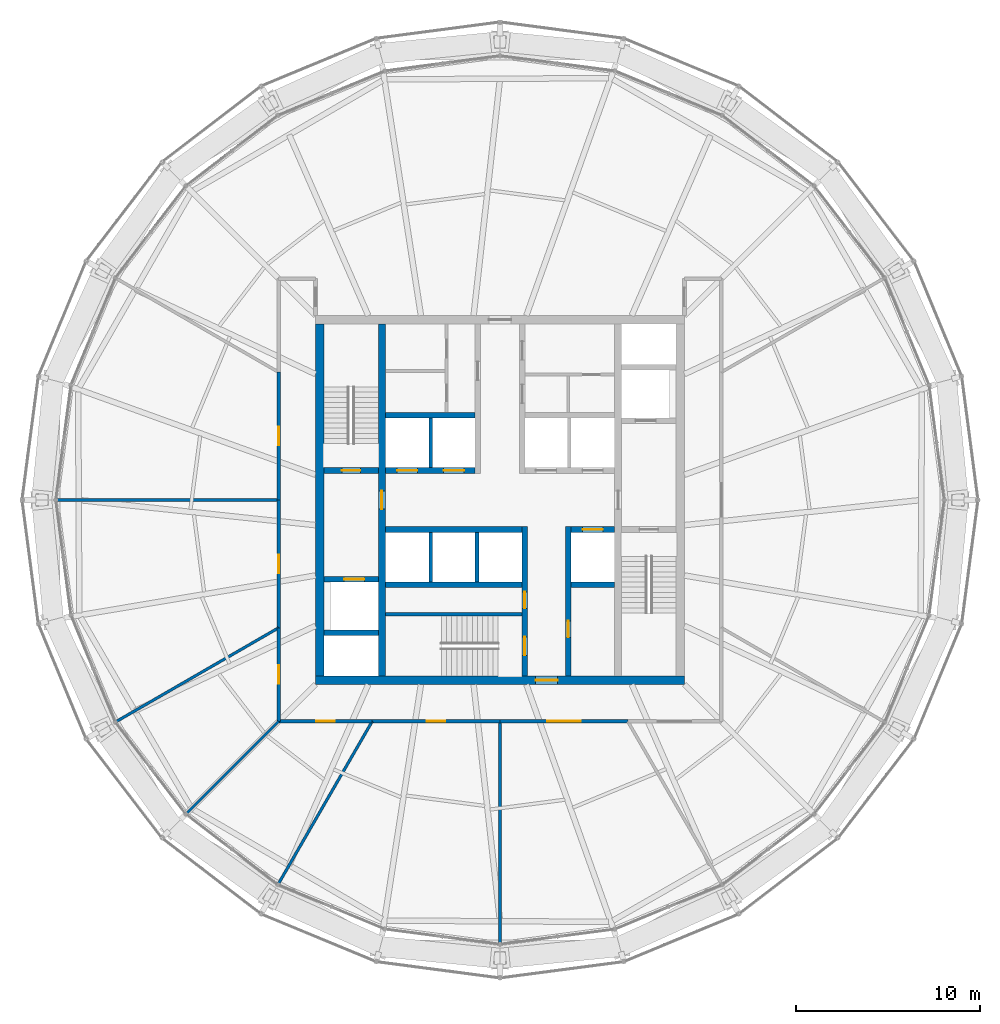
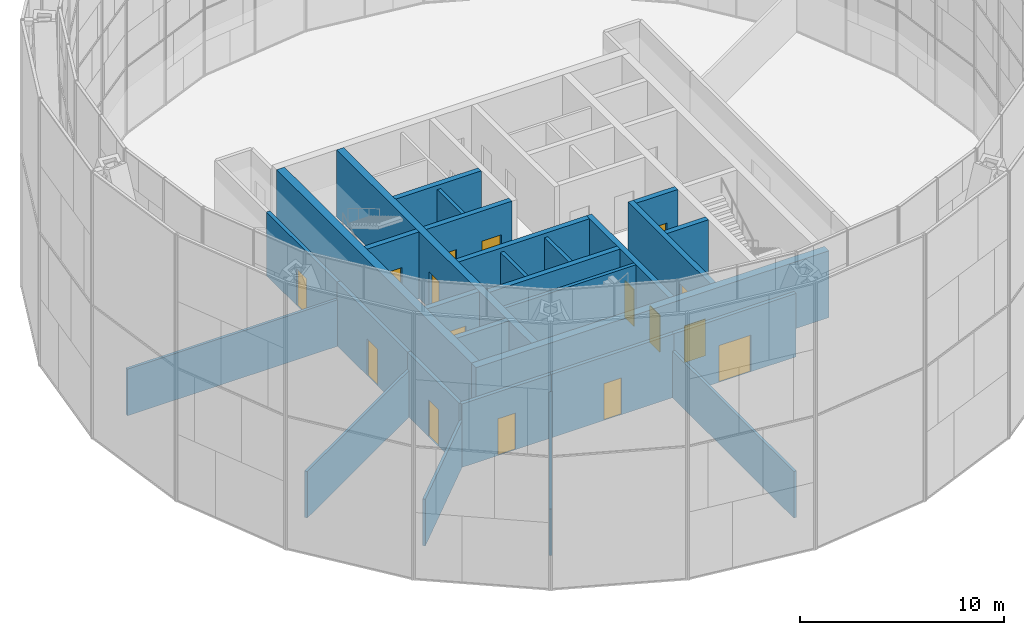
# One storey, part 27 of 30: 29 walls, 16 doors, 16 openings.
"""IFC4 building model written with IfcOpenShell, lengths in metres."""

import ifcopenshell
import ifcopenshell.guid

model = None  # the IFC model being written
_history = None  # IfcOwnerHistory: only IFC2X3 demands one
_inside = {}  # id of a spatial element -> (the spatial element, [elements in it])
_under = {}  # id of a project, library or spatial element -> (it, [spatial elements below it])
_declared = {}  # id of a project -> (the project, [libraries it declares])
_typed = {}  # id of a type object -> (the type object, [elements of that type])
_made_of = {}  # id of a material, layer set ... -> (it, [elements and type objects made of it])


def new_model(schema):
    """Start an empty IFC model of exactly this schema.

    Asked for "IFC4X3", IfcOpenShell would pick the latest addendum, in which some entities
    have other attributes; the version numbers below select the first issue.
    IFC2X3 requires an IfcOwnerHistory on every rooted entity: one is made here for all.
    """
    global model, _history
    if schema == "IFC4X3":
        model = ifcopenshell.file(schema_version=(4, 3, 0, 0))
    else:
        model = ifcopenshell.file(schema=schema)
    _inside.clear()
    _under.clear()
    _declared.clear()
    _typed.clear()
    _made_of.clear()
    _history = None
    if model.schema == "IFC2X3":
        org = make("IfcOrganization", Name="unknown")
        user = make(
            "IfcPersonAndOrganization",
            ThePerson=make("IfcPerson", FamilyName="unknown"),
            TheOrganization=org,
        )
        app = make(
            "IfcApplication",
            ApplicationDeveloper=org,
            Version="unknown",
            ApplicationFullName="unknown",
            ApplicationIdentifier="unknown",
        )
        _history = make(
            "IfcOwnerHistory",
            OwningUser=user,
            OwningApplication=app,
            ChangeAction="ADDED",
            CreationDate=0,
        )
    return model


def make(cls, **values):
    """One entity of the class cls with the attributes given. An attribute that is None is left unset."""
    return model.create_entity(
        cls, **{name: value for name, value in values.items() if value is not None}
    )


def rooted(cls, **values):
    """An entity with a GlobalId (a new one), such as an element, a storey or a relation."""
    return make(cls, GlobalId=ifcopenshell.guid.new(), OwnerHistory=_history, **values)


def si_unit(unit_type, name, prefix=None):
    """IfcSIUnit, for example si_unit("LENGTHUNIT", "METRE", prefix="MILLI")."""
    return make("IfcSIUnit", UnitType=unit_type, Prefix=prefix, Name=name)


def assignment(units):
    """IfcUnitAssignment: the units of a project."""
    return None if units is None else make("IfcUnitAssignment", Units=units)


def point(xyz):
    """IfcCartesianPoint."""
    return None if xyz is None else make("IfcCartesianPoint", Coordinates=xyz)


def direction(xyz):
    """IfcDirection."""
    return None if xyz is None else make("IfcDirection", DirectionRatios=xyz)


def frame(location, z_axis=None, x_axis=None):
    """IfcAxis2Placement3D, a coordinate frame: its origin and axes. An axis left out is left unset."""
    return make(
        "IfcAxis2Placement3D",
        Location=point(location),
        Axis=direction(z_axis),
        RefDirection=direction(x_axis),
    )


def frame_2d(location, x_axis=None):
    """IfcAxis2Placement2D, a coordinate frame in the plane: its origin and x axis."""
    return make(
        "IfcAxis2Placement2D", Location=point(location), RefDirection=direction(x_axis)
    )


def origin():
    """The frame at (0, 0, 0) with its axes left unset."""
    return frame((0.0, 0.0, 0.0))


def place(relative_to, where):
    """IfcLocalPlacement: puts the frame where relative to a parent placement (None: the world)."""
    return make(
        "IfcLocalPlacement", PlacementRelTo=relative_to, RelativePlacement=where
    )


def context(
    kind, dimensions, precision=None, world=None, true_north=None, identifier=None
):
    """IfcGeometricRepresentationContext, for example the 3D "Model" context."""
    return make(
        "IfcGeometricRepresentationContext",
        ContextIdentifier=identifier,
        ContextType=kind,
        CoordinateSpaceDimension=dimensions,
        Precision=precision,
        WorldCoordinateSystem=world,
        TrueNorth=true_north,
    )


def subcontext(parent, identifier, kind, view, scale=None):
    """IfcGeometricRepresentationSubContext, for example "Body" below "Model"."""
    return make(
        "IfcGeometricRepresentationSubContext",
        ContextIdentifier=identifier,
        ContextType=kind,
        ParentContext=parent,
        TargetScale=scale,
        TargetView=view,
    )


def project(units=None, contexts=None):
    """IfcProject with its units and contexts."""
    return rooted(
        "IfcProject",
        Name="project",
        RepresentationContexts=contexts,
        UnitsInContext=assignment(units),
    )


def spatial(cls, under=None, at=None, **own):
    """A site, building, storey or space (cls), placed at a placement, below another one or the project."""
    s = rooted(cls, ObjectPlacement=at, **own)
    if under is not None:
        _under.setdefault(under.id(), (under, []))[1].append(s)
    return s


def profile(cls, at=None, kind="AREA", **sizes):
    """A parametric profile (cls). Its sizes go by their IFC names, for example OverallWidth=200.0."""
    return make(cls, ProfileType=kind, Position=at, **sizes)


def rectangle(**sizes):
    """IfcRectangleProfileDef."""
    return profile("IfcRectangleProfileDef", **sizes)


def extrude(swept, where, along, depth):
    """IfcExtrudedAreaSolid: the profile swept, set in the frame where, extruded along a direction by depth."""
    return make(
        "IfcExtrudedAreaSolid",
        SweptArea=swept,
        Position=where,
        ExtrudedDirection=direction(along),
        Depth=depth,
    )


def shape(context_of_items, identifier, shape_type, items):
    """IfcShapeRepresentation: the items that make up one representation, for example the "Body"."""
    return make(
        "IfcShapeRepresentation",
        ContextOfItems=context_of_items,
        RepresentationIdentifier=identifier,
        RepresentationType=shape_type,
        Items=items,
    )


def material(Name=None, Category=None):
    """IfcMaterial."""
    return make("IfcMaterial", Name=Name, Category=Category)


def layer(
    of_material, thickness, ventilated=None, Name=None, Category=None, Priority=None
):
    """IfcMaterialLayer: one layer of a wall or slab, of a material (None: an air gap)."""
    return make(
        "IfcMaterialLayer",
        Material=of_material,
        LayerThickness=thickness,
        IsVentilated=ventilated,
        Name=Name,
        Category=Category,
        Priority=Priority,
    )


def layer_set(layers, Name=None):
    """IfcMaterialLayerSet."""
    return make("IfcMaterialLayerSet", MaterialLayers=layers, LayerSetName=Name)


def made_of(thing, what):
    """Note that an element or type object is made of a material, layer set ...; save() writes the relation."""
    if what is not None:
        _made_of.setdefault(what.id(), (what, []))[1].append(thing)
    return thing


def type_object(cls, material=None, **own):
    """A type object (cls), such as IfcWallType, which elements share."""
    return made_of(rooted(cls, **own), material)


def element(
    cls,
    number,
    at=None,
    inside=None,
    cuts=None,
    type_object=None,
    material=None,
    context=None,
    identifier="Body",
    shape_type=None,
    held_by="IfcProductDefinitionShape",
    body=None,
    shapes=None,
    **own,
):
    """One element of the class cls, such as IfcWall. Its Tag is "e" and its number.

    at: its placement. inside: the storey or other place that contains it. cuts: it is an
    opening in that element (IfcRelVoidsElement). A single representation is given by context,
    identifier, shape_type and body (its items); several are given by shapes. held_by: the class
    of the entity that holds the representations. save() writes the other relations.
    """
    e = rooted(cls, Tag="e%d" % number, ObjectPlacement=at, **own)
    if body is not None:
        shapes = [shape(context, identifier, shape_type, body)]
    if shapes is not None:
        e.Representation = make(held_by, Representations=shapes)
    if inside is not None:
        _inside.setdefault(inside.id(), (inside, []))[1].append(e)
    if cuts is not None:
        rooted(
            "IfcRelVoidsElement", RelatingBuildingElement=cuts, RelatedOpeningElement=e
        )
    if type_object is not None:
        _typed.setdefault(type_object.id(), (type_object, []))[1].append(e)
    return made_of(e, material)


def fill(opening, filler):
    """IfcRelFillsElement: the door or window that sits in an opening."""
    return rooted(
        "IfcRelFillsElement",
        RelatingOpeningElement=opening,
        RelatedBuildingElement=filler,
    )


def aggregate(whole, parts):
    """IfcRelAggregates: a whole, such as a stair, and the parts it consists of."""
    return rooted("IfcRelAggregates", RelatingObject=whole, RelatedObjects=parts)


def save(model, path):
    """Write the relations noted so far, then the file.

    IfcRelAggregates (storeys below a building ...), IfcRelContainedInSpatialStructure (elements
    in a storey), IfcRelDefinesByType, IfcRelAssociatesMaterial and IfcRelDeclares: one each for
    every whole, place, type object, material and project.
    """
    for whole, parts in _under.values():
        aggregate(whole, parts)
    for where, things in _inside.values():
        rooted(
            "IfcRelContainedInSpatialStructure",
            RelatedElements=things,
            RelatingStructure=where,
        )
    for kind, things in _typed.values():
        rooted("IfcRelDefinesByType", RelatedObjects=things, RelatingType=kind)
    for what, things in _made_of.values():
        rooted("IfcRelAssociatesMaterial", RelatedObjects=things, RelatingMaterial=what)
    for by, libraries in _declared.values():
        rooted("IfcRelDeclares", RelatingContext=by, RelatedDefinitions=libraries)
    model.write(path)


model = new_model("IFC4")

# Units and contexts
model_context = context("Model", 3, precision=1e-05, world=origin(), true_north=direction((0.0, 1.0)))
body_context = subcontext(model_context, "Body", "Model", "MODEL_VIEW")
ifc_project = project(units=[si_unit("LENGTHUNIT", "METRE"), si_unit("AREAUNIT", "SQUARE_METRE"), si_unit("VOLUMEUNIT", "CUBIC_METRE"), si_unit("PLANEANGLEUNIT", "RADIAN"), si_unit("MASSUNIT", "GRAM", prefix="KILO")], contexts=[model_context])

# Site, building, storey
site_placement = place(None, origin())
site = spatial("IfcSite", under=ifc_project, at=site_placement, CompositionType="ELEMENT")
building_placement = place(site_placement, origin())
building = spatial("IfcBuilding", under=site, at=building_placement, Name="Golbaran Civic Tower", CompositionType="ELEMENT")
storey_placement = place(building_placement, frame((0.0, 0.0, 167.0)))
storey = spatial("IfcBuildingStorey", under=building, at=storey_placement, Name="L40", CompositionType="ELEMENT", Elevation=167.0)

# Wall, opening, door
ifc_material_1 = material(Name="Concrete C50/60", Category="concrete")
ifc_layer_1 = layer(ifc_material_1, 0.39990234375, Name="Concrete C50/60")
ifc_layer_set_1 = layer_set([ifc_layer_1], Name="Concrete C50/60")
wall_type_1 = type_object("IfcWallType", Name="CORE WALL CONCRETE 400", PredefinedType="SOLIDWALL", material=ifc_layer_set_1)
wall_1_placement = place(storey_placement, frame((-6.39990234375, -9.550048828125, 0.0), z_axis=(0.0, 0.0, 1.0), x_axis=(0.0, 1.0, 0.0)))
wall_1 = element("IfcWall", 1, at=wall_1_placement, inside=storey, type_object=wall_type_1, Name="Core wall IW L40", PredefinedType="SOLIDWALL", context=body_context, shape_type="SweptSolid", body=[
    extrude(rectangle(XDim=19.10009765625, YDim=0.39990234375, at=frame_2d((9.550048828125, 0.0))), origin(), (0.0, 0.0, 1.0), 4.0),
])
opening_1_placement = place(wall_1_placement, frame((9.050048828125, 0.0, 0.0)))
opening_1 = element("IfcOpeningElement", 2, at=opening_1_placement, cuts=wall_1, Name="Opening L40.FL1", PredefinedType="OPENING", context=body_context, shape_type="SweptSolid", body=[
    extrude(rectangle(XDim=1.0, YDim=2.199951171875, at=frame_2d((0.5, 1.10009765625))), frame((0.0, 0.2099609375, 0.0), z_axis=(0.0, -1.0, 0.0), x_axis=(1.0, 0.0, 0.0)), (0.0, 0.0, 1.0), 0.419921875),
])
ifc_material_2 = material(Name="Timber door set in steel frame", Category="steel")
door_type_1 = type_object("IfcDoorType", Name="STAIR DOOR 1000x2200", OperationType="SINGLE_SWING_LEFT", PredefinedType="DOOR", material=ifc_material_2)
door_1_placement = place(opening_1_placement, origin())
door_1 = element("IfcDoor", 3, at=door_1_placement, inside=storey, type_object=door_type_1, Name="Fire-fighting lobby FL1 door", OperationType="SINGLE_SWING_LEFT", OverallHeight=2.199951171875, OverallWidth=1.0, PredefinedType="DOOR", context=body_context, shape_type="SweptSolid", body=[
    extrude(rectangle(XDim=1.0, YDim=2.199951171875, at=frame_2d((0.5, 1.10009765625))), frame((0.0, 0.02490234375, 0.0), z_axis=(0.0, -1.0, 0.0), x_axis=(1.0, 0.0, 0.0)), (0.0, 0.0, 1.0), 0.050048828125),
])
fill(opening_1, door_1)

ifc_layer_2 = layer(ifc_material_1, 0.449951171875, Name="Concrete C50/60")
ifc_layer_set_2 = layer_set([ifc_layer_2], Name="Concrete C50/60")
wall_type_2 = type_object("IfcWallType", Name="CORE WALL CONCRETE 450", PredefinedType="SOLIDWALL", material=ifc_layer_set_2)
wall_2_placement = place(storey_placement, frame((10.0, -9.77490234375, 0.0), z_axis=(0.0, 0.0, 1.0), x_axis=(-1.0, 0.0, 0.0)))
wall_2 = element("IfcWall", 4, at=wall_2_placement, inside=storey, type_object=wall_type_2, Name="Core wall CS L40", PredefinedType="SOLIDWALL", context=body_context, shape_type="SweptSolid", body=[
    extrude(rectangle(XDim=20.0, YDim=0.449951171875, at=frame_2d((10.0, 0.0))), origin(), (0.0, 0.0, 1.0), 4.0),
])
opening_2_placement = place(wall_2_placement, frame((6.875, 0.0, 0.0)))
opening_2 = element("IfcOpeningElement", 5, at=opening_2_placement, cuts=wall_2, Name="Opening L40.CS", PredefinedType="OPENING", context=body_context, shape_type="SweptSolid", body=[
    extrude(rectangle(XDim=1.199951171875, YDim=2.199951171875, at=frame_2d((0.60009765625, 1.10009765625))), frame((0.0, 0.23486328125, 0.0), z_axis=(0.0, -1.0, 0.0), x_axis=(1.0, 0.0, 0.0)), (0.0, 0.0, 1.0), 0.469970703125),
])
door_type_2 = type_object("IfcDoorType", Name="CORE DOOR 1200x2200", OperationType="DOUBLE_DOOR_SINGLE_SWING", PredefinedType="DOOR", material=ifc_material_2)
door_2_placement = place(opening_2_placement, origin())
door_2 = element("IfcDoor", 6, at=door_2_placement, inside=storey, type_object=door_type_2, Name="Core door south", OperationType="DOUBLE_DOOR_SINGLE_SWING", OverallHeight=2.199951171875, OverallWidth=1.199951171875, PredefinedType="DOOR", context=body_context, shape_type="SweptSolid", body=[
    extrude(rectangle(XDim=1.199951171875, YDim=2.199951171875, at=frame_2d((0.60009765625, 1.10009765625))), frame((0.0, 0.02490234375, 0.0), z_axis=(0.0, -1.0, 0.0), x_axis=(1.0, 0.0, 0.0)), (0.0, 0.0, 1.0), 0.050048828125),
])
fill(opening_2, door_2)

# Wall
wall_3_placement = place(storey_placement, frame((-9.77490234375, 9.550048828125, 0.0), z_axis=(0.0, 0.0, 1.0), x_axis=(0.0, -1.0, 0.0)))
element("IfcWall", 7, at=wall_3_placement, inside=storey, type_object=wall_type_2, Name="Core wall CW L40", PredefinedType="SOLIDWALL", context=body_context, shape_type="SweptSolid", body=[
    extrude(rectangle(XDim=19.10009765625, YDim=0.449951171875, at=frame_2d((9.550048828125, 0.0))), origin(), (0.0, 0.0, 1.0), 4.0),
])

# Wall, opening, door
ifc_material_3 = material(Name="Gypsum board on steel studs, fire-rated", Category="steel")
ifc_layer_3 = layer(ifc_material_3, 0.199951171875, Name="Gypsum board on steel studs, fire-rated")
ifc_layer_set_3 = layer_set([ifc_layer_3], Name="Gypsum board on steel studs, fire-rated")
wall_type_3 = type_object("IfcWallType", Name="CORRIDOR WALL 200", PredefinedType="PARTITIONING", material=ifc_layer_set_3)
wall_4_placement = place(storey_placement, frame((-12.0, 6.92822265625, 0.0), z_axis=(0.0, 0.0, 1.0), x_axis=(0.0, -1.0, 0.0)))
wall_4 = element("IfcWall", 8, at=wall_4_placement, inside=storey, type_object=wall_type_3, Name="Corridor wall L40", PredefinedType="PARTITIONING", context=body_context, shape_type="SweptSolid", body=[
    extrude(rectangle(XDim=6.92822265625, YDim=0.199951171875, at=frame_2d((3.464111328125, 0.0))), origin(), (0.0, 0.0, 1.0), 3.800048828125),
])
opening_3_placement = place(wall_4_placement, frame((2.964111328125, 0.0, 0.0)))
opening_3 = element("IfcOpeningElement", 9, at=opening_3_placement, cuts=wall_4, Name="Opening L40.03", PredefinedType="OPENING", context=body_context, shape_type="SweptSolid", body=[
    extrude(rectangle(XDim=1.0, YDim=2.199951171875, at=frame_2d((0.5, 1.10009765625))), frame((0.0, 0.10986328125, 0.0), z_axis=(0.0, -1.0, 0.0), x_axis=(1.0, 0.0, 0.0)), (0.0, 0.0, 1.0), 0.219970703125),
])
door_type_3 = type_object("IfcDoorType", Name="OFFICE DOOR 1000x2200", OperationType="SINGLE_SWING_LEFT", PredefinedType="DOOR", material=ifc_material_2)
door_3_placement = place(opening_3_placement, origin())
door_3 = element("IfcDoor", 10, at=door_3_placement, inside=storey, type_object=door_type_3, Name="Meeting Room door L40", OperationType="SINGLE_SWING_RIGHT", OverallHeight=2.199951171875, OverallWidth=1.0, PredefinedType="DOOR", context=body_context, shape_type="SweptSolid", body=[
    extrude(rectangle(XDim=1.0, YDim=2.199951171875, at=frame_2d((0.5, 1.10009765625))), frame((0.0, 0.02490234375, 0.0), z_axis=(0.0, -1.0, 0.0), x_axis=(1.0, 0.0, 0.0)), (0.0, 0.0, 1.0), 0.050048828125),
])
fill(opening_3, door_3)

wall_5_placement = place(storey_placement, frame((-12.0, 0.0, 0.0), z_axis=(0.0, 0.0, 1.0), x_axis=(0.0, -1.0, 0.0)))
wall_5 = element("IfcWall", 11, at=wall_5_placement, inside=storey, type_object=wall_type_3, Name="Corridor wall L40", PredefinedType="PARTITIONING", context=body_context, shape_type="SweptSolid", body=[
    extrude(rectangle(XDim=6.92822265625, YDim=0.199951171875, at=frame_2d((3.464111328125, 0.0))), origin(), (0.0, 0.0, 1.0), 3.800048828125),
])
opening_4_placement = place(wall_5_placement, frame((2.964111328125, 0.0, 0.0)))
opening_4 = element("IfcOpeningElement", 12, at=opening_4_placement, cuts=wall_5, Name="Opening L40.04", PredefinedType="OPENING", context=body_context, shape_type="SweptSolid", body=[
    extrude(rectangle(XDim=1.0, YDim=2.199951171875, at=frame_2d((0.5, 1.10009765625))), frame((0.0, 0.10986328125, 0.0), z_axis=(0.0, -1.0, 0.0), x_axis=(1.0, 0.0, 0.0)), (0.0, 0.0, 1.0), 0.219970703125),
])
door_4_placement = place(opening_4_placement, origin())
door_4 = element("IfcDoor", 13, at=door_4_placement, inside=storey, type_object=door_type_3, Name="Project Room door L40", OperationType="SINGLE_SWING_RIGHT", OverallHeight=2.199951171875, OverallWidth=1.0, PredefinedType="DOOR", context=body_context, shape_type="SweptSolid", body=[
    extrude(rectangle(XDim=1.0, YDim=2.199951171875, at=frame_2d((0.5, 1.10009765625))), frame((0.0, 0.02490234375, 0.0), z_axis=(0.0, -1.0, 0.0), x_axis=(1.0, 0.0, 0.0)), (0.0, 0.0, 1.0), 0.050048828125),
])
fill(opening_4, door_4)

wall_6_placement = place(storey_placement, frame((-12.0, -6.92822265625, 0.0), z_axis=(0.0, 0.0, 1.0), x_axis=(0.0, -1.0, 0.0)))
wall_6 = element("IfcWall", 14, at=wall_6_placement, inside=storey, type_object=wall_type_3, Name="Corridor wall L40", PredefinedType="PARTITIONING", context=body_context, shape_type="SweptSolid", body=[
    extrude(rectangle(XDim=5.07177734375, YDim=0.199951171875, at=frame_2d((2.535888671875, 0.0))), origin(), (0.0, 0.0, 1.0), 3.800048828125),
])
opening_5_placement = place(wall_6_placement, frame((2.035888671875, 0.0, 0.0)))
opening_5 = element("IfcOpeningElement", 15, at=opening_5_placement, cuts=wall_6, Name="Opening L40.05", PredefinedType="OPENING", context=body_context, shape_type="SweptSolid", body=[
    extrude(rectangle(XDim=1.0, YDim=2.199951171875, at=frame_2d((0.5, 1.10009765625))), frame((0.0, 0.10986328125, 0.0), z_axis=(0.0, -1.0, 0.0), x_axis=(1.0, 0.0, 0.0)), (0.0, 0.0, 1.0), 0.219970703125),
])
door_5_placement = place(opening_5_placement, origin())
door_5 = element("IfcDoor", 16, at=door_5_placement, inside=storey, type_object=door_type_3, Name="Interview Room door L40", OperationType="SINGLE_SWING_RIGHT", OverallHeight=2.199951171875, OverallWidth=1.0, PredefinedType="DOOR", context=body_context, shape_type="SweptSolid", body=[
    extrude(rectangle(XDim=1.0, YDim=2.199951171875, at=frame_2d((0.5, 1.10009765625))), frame((0.0, 0.02490234375, 0.0), z_axis=(0.0, -1.0, 0.0), x_axis=(1.0, 0.0, 0.0)), (0.0, 0.0, 1.0), 0.050048828125),
])
fill(opening_5, door_5)

wall_7_placement = place(storey_placement, frame((-12.0, -12.0, 0.0), z_axis=(0.0, 0.0, 1.0), x_axis=(1.0, 0.0, 0.0)))
wall_7 = element("IfcWall", 17, at=wall_7_placement, inside=storey, type_object=wall_type_3, Name="Corridor wall L40", PredefinedType="PARTITIONING", context=body_context, shape_type="SweptSolid", body=[
    extrude(rectangle(XDim=5.07177734375, YDim=0.199951171875, at=frame_2d((2.535888671875, 0.0))), origin(), (0.0, 0.0, 1.0), 3.800048828125),
])
opening_6_placement = place(wall_7_placement, frame((2.035888671875, 0.0, 0.0)))
opening_6 = element("IfcOpeningElement", 18, at=opening_6_placement, cuts=wall_7, Name="Opening L40.06", PredefinedType="OPENING", context=body_context, shape_type="SweptSolid", body=[
    extrude(rectangle(XDim=1.0, YDim=2.199951171875, at=frame_2d((0.5, 1.10009765625))), frame((0.0, 0.10986328125, 0.0), z_axis=(0.0, -1.0, 0.0), x_axis=(1.0, 0.0, 0.0)), (0.0, 0.0, 1.0), 0.219970703125),
])
door_6_placement = place(opening_6_placement, origin())
door_6 = element("IfcDoor", 19, at=door_6_placement, inside=storey, type_object=door_type_3, Name="Interview Room door L40", OperationType="SINGLE_SWING_LEFT", OverallHeight=2.199951171875, OverallWidth=1.0, PredefinedType="DOOR", context=body_context, shape_type="SweptSolid", body=[
    extrude(rectangle(XDim=1.0, YDim=2.199951171875, at=frame_2d((0.5, 1.10009765625))), frame((0.0, 0.02490234375, 0.0), z_axis=(0.0, -1.0, 0.0), x_axis=(1.0, 0.0, 0.0)), (0.0, 0.0, 1.0), 0.050048828125),
])
fill(opening_6, door_6)

wall_8_placement = place(storey_placement, frame((-6.92822265625, -12.0, 0.0), z_axis=(0.0, 0.0, 1.0), x_axis=(1.0, 0.0, 0.0)))
wall_8 = element("IfcWall", 20, at=wall_8_placement, inside=storey, type_object=wall_type_3, Name="Corridor wall L40", PredefinedType="PARTITIONING", context=body_context, shape_type="SweptSolid", body=[
    extrude(rectangle(XDim=6.92822265625, YDim=0.199951171875, at=frame_2d((3.464111328125, 0.0))), origin(), (0.0, 0.0, 1.0), 3.800048828125),
])
opening_7_placement = place(wall_8_placement, frame((2.964111328125, 0.0, 0.0)))
opening_7 = element("IfcOpeningElement", 21, at=opening_7_placement, cuts=wall_8, Name="Opening L40.07", PredefinedType="OPENING", context=body_context, shape_type="SweptSolid", body=[
    extrude(rectangle(XDim=1.0, YDim=2.199951171875, at=frame_2d((0.5, 1.10009765625))), frame((0.0, 0.10986328125, 0.0), z_axis=(0.0, -1.0, 0.0), x_axis=(1.0, 0.0, 0.0)), (0.0, 0.0, 1.0), 0.219970703125),
])
door_7_placement = place(opening_7_placement, origin())
door_7 = element("IfcDoor", 22, at=door_7_placement, inside=storey, type_object=door_type_3, Name="Meeting Room door L40", OperationType="SINGLE_SWING_LEFT", OverallHeight=2.199951171875, OverallWidth=1.0, PredefinedType="DOOR", context=body_context, shape_type="SweptSolid", body=[
    extrude(rectangle(XDim=1.0, YDim=2.199951171875, at=frame_2d((0.5, 1.10009765625))), frame((0.0, 0.02490234375, 0.0), z_axis=(0.0, -1.0, 0.0), x_axis=(1.0, 0.0, 0.0)), (0.0, 0.0, 1.0), 0.050048828125),
])
fill(opening_7, door_7)

wall_9_placement = place(storey_placement, frame((0.0, -12.0, 0.0), z_axis=(0.0, 0.0, 1.0), x_axis=(1.0, 0.0, 0.0)))
wall_9 = element("IfcWall", 23, at=wall_9_placement, inside=storey, type_object=wall_type_3, Name="Corridor wall L40", PredefinedType="PARTITIONING", context=body_context, shape_type="SweptSolid", body=[
    extrude(rectangle(XDim=6.92822265625, YDim=0.199951171875, at=frame_2d((3.464111328125, 0.0))), origin(), (0.0, 0.0, 1.0), 3.800048828125),
])
opening_8_placement = place(wall_9_placement, frame((2.564208984375, 0.0, 0.0)))
opening_8 = element("IfcOpeningElement", 24, at=opening_8_placement, cuts=wall_9, Name="Opening L40.08", PredefinedType="OPENING", context=body_context, shape_type="SweptSolid", body=[
    extrude(rectangle(XDim=1.800048828125, YDim=2.199951171875, at=frame_2d((0.89990234375, 1.10009765625))), frame((0.0, 0.10986328125, 0.0), z_axis=(0.0, -1.0, 0.0), x_axis=(1.0, 0.0, 0.0)), (0.0, 0.0, 1.0), 0.219970703125),
])
door_type_4 = type_object("IfcDoorType", Name="OFFICE DOUBLE DOOR 1800x2200", OperationType="DOUBLE_DOOR_SINGLE_SWING", PredefinedType="DOOR", material=ifc_material_2)
door_8_placement = place(opening_8_placement, origin())
door_8 = element("IfcDoor", 25, at=door_8_placement, inside=storey, type_object=door_type_4, Name="IT Services Office door L40", OperationType="DOUBLE_DOOR_SINGLE_SWING", OverallHeight=2.199951171875, OverallWidth=1.800048828125, PredefinedType="DOOR", context=body_context, shape_type="SweptSolid", body=[
    extrude(rectangle(XDim=1.800048828125, YDim=2.199951171875, at=frame_2d((0.89990234375, 1.10009765625))), frame((0.0, 0.02490234375, 0.0), z_axis=(0.0, -1.0, 0.0), x_axis=(1.0, 0.0, 0.0)), (0.0, 0.0, 1.0), 0.050048828125),
])
fill(opening_8, door_8)

# Walls
ifc_material_4 = material(Name="Concrete block", Category="concrete")
ifc_layer_4 = layer(ifc_material_4, 0.199951171875, Name="Concrete block")
ifc_layer_set_4 = layer_set([ifc_layer_4], Name="Concrete block")
wall_type_4 = type_object("IfcWallType", Name="LIFT SEPARATOR WALL 200", PredefinedType="SOLIDWALL", material=ifc_layer_set_4)
for number, where, z_axis, x_axis, name in (
    (26, (-3.75, 1.75, 0.0), (0.0, 0.0, 1.0), (0.0, 1.0, 0.0), "Core partition SNW L40"),
    (27, (-3.75, -1.75, 0.0), (0.0, 0.0, 1.0), (0.0, -1.0, 0.0), "Core partition SSW L40"),
    (28, (-1.25, -1.75, 0.0), (0.0, 0.0, 1.0), (0.0, -1.0, 0.0), "Core partition SSM L40"),
):
    element("IfcWall", number, at=place(storey_placement, frame(where, z_axis=z_axis, x_axis=x_axis)), inside=storey, type_object=wall_type_4, Name=name, PredefinedType="SOLIDWALL", context=body_context, shape_type="SweptSolid", body=[
        extrude(rectangle(XDim=2.699951171875, YDim=0.199951171875, at=frame_2d((1.35009765625, 0.0))), origin(), (0.0, 0.0, 1.0), 3.75),
    ])
ifc_material_5 = material(Name="Gypsum board on steel studs", Category="steel")
ifc_layer_5 = layer(ifc_material_5, 0.14990234375, Name="Gypsum board on steel studs")
ifc_layer_set_5 = layer_set([ifc_layer_5], Name="Gypsum board on steel studs")
wall_type_5 = type_object("IfcWallType", Name="OFFICE PARTITION 150", PredefinedType="PARTITIONING", material=ifc_layer_set_5)
wall_10_placement = place(storey_placement, frame((-12.0, 0.0, 0.0), z_axis=(0.0, 0.0, 1.0), x_axis=(-1.0, 0.0, 0.0)))
element("IfcWall", 29, at=wall_10_placement, inside=storey, type_object=wall_type_5, Name="Partition 180 L40", PredefinedType="PARTITIONING", context=body_context, shape_type="SweptSolid", body=[
    extrude(rectangle(XDim=11.9921875, YDim=0.14990234375, at=frame_2d((5.99609375, 0.0))), origin(), (0.0, 0.0, 1.0), 2.7900390625),
])
wall_11_placement = place(storey_placement, frame((-12.0, -6.92822265625, 0.0), z_axis=(0.0, 0.0, 1.0), x_axis=(-0.866025941747, -0.49999906822, 0.0)))
element("IfcWall", 30, at=wall_11_placement, inside=storey, type_object=wall_type_5, Name="Partition 210 L40", PredefinedType="PARTITIONING", context=body_context, shape_type="SweptSolid", body=[
    extrude(rectangle(XDim=10.1357421875, YDim=0.14990234375, at=frame_2d((5.06787109375, 0.0))), origin(), (0.0, 0.0, 1.0), 2.7900390625),
])
wall_12_placement = place(storey_placement, frame((-12.0, -12.0, 0.0), z_axis=(0.0, 0.0, 1.0), x_axis=(-0.707106781187, -0.707106781187, 0.0)))
element("IfcWall", 31, at=wall_12_placement, inside=storey, type_object=wall_type_5, Name="Partition 225 L40", PredefinedType="PARTITIONING", context=body_context, shape_type="SweptSolid", body=[
    extrude(rectangle(XDim=7.021728515625, YDim=0.14990234375, at=frame_2d((3.5107421875, 0.0))), origin(), (0.0, 0.0, 1.0), 2.7900390625),
])
wall_13_placement = place(storey_placement, frame((-6.92822265625, -12.0, 0.0), z_axis=(0.0, 0.0, 1.0), x_axis=(-0.49999906822, -0.866025941747, 0.0)))
element("IfcWall", 32, at=wall_13_placement, inside=storey, type_object=wall_type_5, Name="Partition 240 L40", PredefinedType="PARTITIONING", context=body_context, shape_type="SweptSolid", body=[
    extrude(rectangle(XDim=10.1357421875, YDim=0.14990234375, at=frame_2d((5.06787109375, 0.0))), origin(), (0.0, 0.0, 1.0), 2.7900390625),
])
wall_14_placement = place(storey_placement, frame((0.0, -12.0, 0.0), z_axis=(0.0, 0.0, 1.0), x_axis=(0.0, -1.0, 0.0)))
element("IfcWall", 33, at=wall_14_placement, inside=storey, type_object=wall_type_5, Name="Partition 270 L40", PredefinedType="PARTITIONING", context=body_context, shape_type="SweptSolid", body=[
    extrude(rectangle(XDim=11.9921875, YDim=0.14990234375, at=frame_2d((5.99609375, 0.0))), origin(), (0.0, 0.0, 1.0), 2.7900390625),
])
ifc_layer_6 = layer(ifc_material_1, 0.199951171875, Name="Concrete C50/60")
ifc_layer_set_6 = layer_set([ifc_layer_6], Name="Concrete C50/60")
wall_type_6 = type_object("IfcWallType", Name="SHAFT WALL CONCRETE 200", PredefinedType="SOLIDWALL", material=ifc_layer_set_6)
wall_15_placement = place(storey_placement, frame((-6.199951171875, -6.199951171875, 0.0), z_axis=(0.0, 0.0, 1.0), x_axis=(1.0, 0.0, 0.0)))
element("IfcWall", 34, at=wall_15_placement, inside=storey, type_object=wall_type_6, Name="Core wall S3N L40", PredefinedType="SOLIDWALL", context=body_context, shape_type="SweptSolid", body=[
    extrude(rectangle(XDim=7.39990234375, YDim=0.199951171875, at=frame_2d((3.699951171875, 0.0))), origin(), (0.0, 0.0, 1.0), 4.0),
])

# Wall, openings, doors
ifc_layer_7 = layer(ifc_material_1, 0.300048828125, Name="Concrete C50/60")
ifc_layer_set_7 = layer_set([ifc_layer_7], Name="Concrete C50/60")
wall_type_7 = type_object("IfcWallType", Name="SHAFT WALL CONCRETE 300", PredefinedType="SOLIDWALL", material=ifc_layer_set_7)
wall_16_placement = place(storey_placement, frame((-6.199951171875, 1.60009765625, 0.0), z_axis=(0.0, 0.0, 1.0), x_axis=(1.0, 0.0, 0.0)))
wall_16 = element("IfcWall", 35, at=wall_16_placement, inside=storey, type_object=wall_type_7, Name="Core wall FNW L40", PredefinedType="SOLIDWALL", context=body_context, shape_type="SweptSolid", body=[
    extrude(rectangle(XDim=4.849853515625, YDim=0.300048828125, at=frame_2d((2.4248046875, 0.0))), origin(), (0.0, 0.0, 1.0), 4.0),
])
opening_9_placement = place(wall_16_placement, frame((0.625, 0.0, 0.0)))
opening_9 = element("IfcOpeningElement", 36, at=opening_9_placement, cuts=wall_16, Name="Opening L40.LD-Z1H", PredefinedType="OPENING", context=body_context, shape_type="SweptSolid", body=[
    extrude(rectangle(XDim=1.10009765625, YDim=2.199951171875, at=frame_2d((0.550048828125, 1.10009765625))), frame((0.0, 0.159912109375, 0.0), z_axis=(0.0, -1.0, 0.0), x_axis=(1.0, 0.0, 0.0)), (0.0, 0.0, 1.0), 0.320068359375),
])
opening_10_placement = place(wall_16_placement, frame((3.14990234375, 0.0, 0.0)))
opening_10 = element("IfcOpeningElement", 37, at=opening_10_placement, cuts=wall_16, Name="Opening L40.LD-Z2H", PredefinedType="OPENING", context=body_context, shape_type="SweptSolid", body=[
    extrude(rectangle(XDim=1.10009765625, YDim=2.199951171875, at=frame_2d((0.550048828125, 1.10009765625))), frame((0.0, 0.159912109375, 0.0), z_axis=(0.0, -1.0, 0.0), x_axis=(1.0, 0.0, 0.0)), (0.0, 0.0, 1.0), 0.320068359375),
])
ifc_material_6 = material(Name="Stainless steel", Category="steel")
door_type_5 = type_object("IfcDoorType", Name="LIFT LANDING DOOR 1100x2200", OperationType="SLIDING_TO_LEFT", PredefinedType="DOOR", material=ifc_material_6)
door_9_placement = place(opening_9_placement, origin())
door_9 = element("IfcDoor", 38, at=door_9_placement, inside=storey, type_object=door_type_5, Name="Lift landing door Z1H", OperationType="SLIDING_TO_LEFT", OverallHeight=2.199951171875, OverallWidth=1.10009765625, PredefinedType="DOOR", context=body_context, shape_type="SweptSolid", body=[
    extrude(rectangle(XDim=1.10009765625, YDim=2.199951171875, at=frame_2d((0.550048828125, 1.10009765625))), frame((0.0, 0.02490234375, 0.0), z_axis=(0.0, -1.0, 0.0), x_axis=(1.0, 0.0, 0.0)), (0.0, 0.0, 1.0), 0.050048828125),
])
fill(opening_9, door_9)
door_10_placement = place(opening_10_placement, origin())
door_10 = element("IfcDoor", 39, at=door_10_placement, inside=storey, type_object=door_type_5, Name="Lift landing door Z2H", OperationType="SLIDING_TO_LEFT", OverallHeight=2.199951171875, OverallWidth=1.10009765625, PredefinedType="DOOR", context=body_context, shape_type="SweptSolid", body=[
    extrude(rectangle(XDim=1.10009765625, YDim=2.199951171875, at=frame_2d((0.550048828125, 1.10009765625))), frame((0.0, 0.02490234375, 0.0), z_axis=(0.0, -1.0, 0.0), x_axis=(1.0, 0.0, 0.0)), (0.0, 0.0, 1.0), 0.050048828125),
])
fill(opening_10, door_10)

# Walls
wall_17_placement = place(storey_placement, frame((-6.199951171875, 4.60009765625, 0.0), z_axis=(0.0, 0.0, 1.0), x_axis=(1.0, 0.0, 0.0)))
element("IfcWall", 40, at=wall_17_placement, inside=storey, type_object=wall_type_7, Name="Core wall BNW L40", PredefinedType="SOLIDWALL", context=body_context, shape_type="SweptSolid", body=[
    extrude(rectangle(XDim=4.849853515625, YDim=0.300048828125, at=frame_2d((2.4248046875, 0.0))), origin(), (0.0, 0.0, 1.0), 4.0),
])
wall_18_placement = place(storey_placement, frame((-6.199951171875, -1.60009765625, 0.0), z_axis=(0.0, 0.0, 1.0), x_axis=(1.0, 0.0, 0.0)))
element("IfcWall", 41, at=wall_18_placement, inside=storey, type_object=wall_type_7, Name="Core wall FSW L40", PredefinedType="SOLIDWALL", context=body_context, shape_type="SweptSolid", body=[
    extrude(rectangle(XDim=7.39990234375, YDim=0.300048828125, at=frame_2d((3.699951171875, 0.0))), origin(), (0.0, 0.0, 1.0), 4.0),
])

# Wall, opening, door
wall_19_placement = place(storey_placement, frame((3.85009765625, -1.60009765625, 0.0), z_axis=(0.0, 0.0, 1.0), x_axis=(1.0, 0.0, 0.0)))
wall_19 = element("IfcWall", 42, at=wall_19_placement, inside=storey, type_object=wall_type_7, Name="Core wall FSE L40", PredefinedType="SOLIDWALL", context=body_context, shape_type="SweptSolid", body=[
    extrude(rectangle(XDim=2.349853515625, YDim=0.300048828125, at=frame_2d((1.1748046875, 0.0))), origin(), (0.0, 0.0, 1.0), 4.0),
])
opening_11_placement = place(wall_19_placement, frame((0.625, 0.0, 0.0)))
opening_11 = element("IfcOpeningElement", 43, at=opening_11_placement, cuts=wall_19, Name="Opening L40.LD-V1", PredefinedType="OPENING", context=body_context, shape_type="SweptSolid", body=[
    extrude(rectangle(XDim=1.10009765625, YDim=2.199951171875, at=frame_2d((0.550048828125, 1.10009765625))), frame((0.0, 0.159912109375, 0.0), z_axis=(0.0, -1.0, 0.0), x_axis=(1.0, 0.0, 0.0)), (0.0, 0.0, 1.0), 0.320068359375),
])
door_11_placement = place(opening_11_placement, origin())
door_11 = element("IfcDoor", 44, at=door_11_placement, inside=storey, type_object=door_type_5, Name="Lift landing door V1", OperationType="SLIDING_TO_LEFT", OverallHeight=2.199951171875, OverallWidth=1.10009765625, PredefinedType="DOOR", context=body_context, shape_type="SweptSolid", body=[
    extrude(rectangle(XDim=1.10009765625, YDim=2.199951171875, at=frame_2d((0.550048828125, 1.10009765625))), frame((0.0, 0.02490234375, 0.0), z_axis=(0.0, -1.0, 0.0), x_axis=(1.0, 0.0, 0.0)), (0.0, 0.0, 1.0), 0.050048828125),
])
fill(opening_11, door_11)

# Walls
wall_20_placement = place(storey_placement, frame((-6.199951171875, -4.60009765625, 0.0), z_axis=(0.0, 0.0, 1.0), x_axis=(1.0, 0.0, 0.0)))
element("IfcWall", 45, at=wall_20_placement, inside=storey, type_object=wall_type_7, Name="Core wall BSW L40", PredefinedType="SOLIDWALL", context=body_context, shape_type="SweptSolid", body=[
    extrude(rectangle(XDim=7.39990234375, YDim=0.300048828125, at=frame_2d((3.699951171875, 0.0))), origin(), (0.0, 0.0, 1.0), 4.0),
])
wall_21_placement = place(storey_placement, frame((3.85009765625, -4.60009765625, 0.0), z_axis=(0.0, 0.0, 1.0), x_axis=(1.0, 0.0, 0.0)))
element("IfcWall", 46, at=wall_21_placement, inside=storey, type_object=wall_type_7, Name="Core wall BSE L40", PredefinedType="SOLIDWALL", context=body_context, shape_type="SweptSolid", body=[
    extrude(rectangle(XDim=2.349853515625, YDim=0.300048828125, at=frame_2d((1.1748046875, 0.0))), origin(), (0.0, 0.0, 1.0), 4.0),
])

# Wall, openings, doors
wall_22_placement = place(storey_placement, frame((1.35009765625, -1.449951171875, 0.0), z_axis=(0.0, 0.0, 1.0), x_axis=(0.0, -1.0, 0.0)))
wall_22 = element("IfcWall", 47, at=wall_22_placement, inside=storey, type_object=wall_type_7, Name="Core wall PSW L40", PredefinedType="SOLIDWALL", context=body_context, shape_type="SweptSolid", body=[
    extrude(rectangle(XDim=8.10009765625, YDim=0.300048828125, at=frame_2d((4.050048828125, 0.0))), origin(), (0.0, 0.0, 1.0), 4.0),
])
opening_12_placement = place(wall_22_placement, frame((5.97509765625, 0.0, 0.0)))
opening_12 = element("IfcOpeningElement", 48, at=opening_12_placement, cuts=wall_22, Name="Opening L40.S3", PredefinedType="OPENING", context=body_context, shape_type="SweptSolid", body=[
    extrude(rectangle(XDim=1.0, YDim=2.199951171875, at=frame_2d((0.5, 1.10009765625))), frame((0.0, 0.159912109375, 0.0), z_axis=(0.0, -1.0, 0.0), x_axis=(1.0, 0.0, 0.0)), (0.0, 0.0, 1.0), 0.320068359375),
])
opening_13_placement = place(wall_22_placement, frame((3.52490234375, 0.0, 0.0)))
opening_13 = element("IfcOpeningElement", 49, at=opening_13_placement, cuts=wall_22, Name="Opening L40.RE", PredefinedType="OPENING", context=body_context, shape_type="SweptSolid", body=[
    extrude(rectangle(XDim=0.89990234375, YDim=2.199951171875, at=frame_2d((0.449951171875, 1.10009765625))), frame((0.0, 0.159912109375, 0.0), z_axis=(0.0, -1.0, 0.0), x_axis=(1.0, 0.0, 0.0)), (0.0, 0.0, 1.0), 0.320068359375),
])
door_type_6 = type_object("IfcDoorType", Name="RISER DOOR 900x2200", OperationType="SINGLE_SWING_LEFT", PredefinedType="DOOR", material=ifc_material_2)
door_12_placement = place(opening_13_placement, origin())
door_12 = element("IfcDoor", 50, at=door_12_placement, inside=storey, type_object=door_type_6, Name="Electrical riser door", OperationType="SINGLE_SWING_LEFT", OverallHeight=2.199951171875, OverallWidth=0.89990234375, PredefinedType="DOOR", context=body_context, shape_type="SweptSolid", body=[
    extrude(rectangle(XDim=0.89990234375, YDim=2.199951171875, at=frame_2d((0.449951171875, 1.10009765625))), frame((0.0, 0.02490234375, 0.0), z_axis=(0.0, -1.0, 0.0), x_axis=(1.0, 0.0, 0.0)), (0.0, 0.0, 1.0), 0.050048828125),
])
fill(opening_13, door_12)
door_13_placement = place(opening_12_placement, origin())
door_13 = element("IfcDoor", 51, at=door_13_placement, inside=storey, type_object=door_type_1, Name="Stair S3 door", OperationType="SINGLE_SWING_RIGHT", OverallHeight=2.199951171875, OverallWidth=1.0, PredefinedType="DOOR", context=body_context, shape_type="SweptSolid", body=[
    extrude(rectangle(XDim=1.0, YDim=2.199951171875, at=frame_2d((0.5, 1.10009765625))), frame((0.0, 0.02490234375, 0.0), z_axis=(0.0, -1.0, 0.0), x_axis=(1.0, 0.0, 0.0)), (0.0, 0.0, 1.0), 0.050048828125),
])
fill(opening_12, door_13)

# Wall, opening, door
wall_23_placement = place(storey_placement, frame((3.699951171875, -1.449951171875, 0.0), z_axis=(0.0, 0.0, 1.0), x_axis=(0.0, -1.0, 0.0)))
wall_23 = element("IfcWall", 52, at=wall_23_placement, inside=storey, type_object=wall_type_7, Name="Core wall PSE L40", PredefinedType="SOLIDWALL", context=body_context, shape_type="SweptSolid", body=[
    extrude(rectangle(XDim=8.10009765625, YDim=0.300048828125, at=frame_2d((4.050048828125, 0.0))), origin(), (0.0, 0.0, 1.0), 4.0),
])
opening_14_placement = place(wall_23_placement, frame((5.10009765625, 0.0, 0.0)))
opening_14 = element("IfcOpeningElement", 53, at=opening_14_placement, cuts=wall_23, Name="Opening L40.RM", PredefinedType="OPENING", context=body_context, shape_type="SweptSolid", body=[
    extrude(rectangle(XDim=0.89990234375, YDim=2.199951171875, at=frame_2d((0.449951171875, 1.10009765625))), frame((0.0, 0.159912109375, 0.0), z_axis=(0.0, -1.0, 0.0), x_axis=(1.0, 0.0, 0.0)), (0.0, 0.0, 1.0), 0.320068359375),
])
door_14_placement = place(opening_14_placement, origin())
door_14 = element("IfcDoor", 54, at=door_14_placement, inside=storey, type_object=door_type_6, Name="Mechanical riser door", OperationType="SINGLE_SWING_RIGHT", OverallHeight=2.199951171875, OverallWidth=0.89990234375, PredefinedType="DOOR", context=body_context, shape_type="SweptSolid", body=[
    extrude(rectangle(XDim=0.89990234375, YDim=2.199951171875, at=frame_2d((0.449951171875, 1.10009765625))), frame((0.0, 0.02490234375, 0.0), z_axis=(0.0, -1.0, 0.0), x_axis=(1.0, 0.0, 0.0)), (0.0, 0.0, 1.0), 0.050048828125),
])
fill(opening_14, door_14)

wall_24_placement = place(storey_placement, frame((-9.550048828125, 1.60009765625, 0.0), z_axis=(0.0, 0.0, 1.0), x_axis=(1.0, 0.0, 0.0)))
wall_24 = element("IfcWall", 55, at=wall_24_placement, inside=storey, type_object=wall_type_7, Name="Core wall XW1 L40", PredefinedType="SOLIDWALL", context=body_context, shape_type="SweptSolid", body=[
    extrude(rectangle(XDim=2.949951171875, YDim=0.300048828125, at=frame_2d((1.47509765625, 0.0))), origin(), (0.0, 0.0, 1.0), 4.0),
])
opening_15_placement = place(wall_24_placement, frame((0.97509765625, 0.0, 0.0)))
opening_15 = element("IfcOpeningElement", 56, at=opening_15_placement, cuts=wall_24, Name="Opening L40.S1", PredefinedType="OPENING", context=body_context, shape_type="SweptSolid", body=[
    extrude(rectangle(XDim=1.0, YDim=2.199951171875, at=frame_2d((0.5, 1.10009765625))), frame((0.0, 0.159912109375, 0.0), z_axis=(0.0, -1.0, 0.0), x_axis=(1.0, 0.0, 0.0)), (0.0, 0.0, 1.0), 0.320068359375),
])
door_15_placement = place(opening_15_placement, origin())
door_15 = element("IfcDoor", 57, at=door_15_placement, inside=storey, type_object=door_type_1, Name="Stair S1 door", OperationType="SINGLE_SWING_LEFT", OverallHeight=2.199951171875, OverallWidth=1.0, PredefinedType="DOOR", context=body_context, shape_type="SweptSolid", body=[
    extrude(rectangle(XDim=1.0, YDim=2.199951171875, at=frame_2d((0.5, 1.10009765625))), frame((0.0, 0.02490234375, 0.0), z_axis=(0.0, -1.0, 0.0), x_axis=(1.0, 0.0, 0.0)), (0.0, 0.0, 1.0), 0.050048828125),
])
fill(opening_15, door_15)

wall_25_placement = place(storey_placement, frame((-9.550048828125, -4.300048828125, 0.0), z_axis=(0.0, 0.0, 1.0), x_axis=(1.0, 0.0, 0.0)))
wall_25 = element("IfcWall", 58, at=wall_25_placement, inside=storey, type_object=wall_type_7, Name="Core wall XW2 L40", PredefinedType="SOLIDWALL", context=body_context, shape_type="SweptSolid", body=[
    extrude(rectangle(XDim=2.949951171875, YDim=0.300048828125, at=frame_2d((1.47509765625, 0.0))), origin(), (0.0, 0.0, 1.0), 4.0),
])
opening_16_placement = place(wall_25_placement, frame((1.10009765625, 0.0, 0.0)))
opening_16 = element("IfcOpeningElement", 59, at=opening_16_placement, cuts=wall_25, Name="Opening L40.LD-F1", PredefinedType="OPENING", context=body_context, shape_type="SweptSolid", body=[
    extrude(rectangle(XDim=1.10009765625, YDim=2.199951171875, at=frame_2d((0.550048828125, 1.10009765625))), frame((0.0, 0.159912109375, 0.0), z_axis=(0.0, -1.0, 0.0), x_axis=(1.0, 0.0, 0.0)), (0.0, 0.0, 1.0), 0.320068359375),
])
door_16_placement = place(opening_16_placement, origin())
door_16 = element("IfcDoor", 60, at=door_16_placement, inside=storey, type_object=door_type_5, Name="Lift landing door F1", OperationType="SLIDING_TO_LEFT", OverallHeight=2.199951171875, OverallWidth=1.10009765625, PredefinedType="DOOR", context=body_context, shape_type="SweptSolid", body=[
    extrude(rectangle(XDim=1.10009765625, YDim=2.199951171875, at=frame_2d((0.550048828125, 1.10009765625))), frame((0.0, 0.02490234375, 0.0), z_axis=(0.0, -1.0, 0.0), x_axis=(1.0, 0.0, 0.0)), (0.0, 0.0, 1.0), 0.050048828125),
])
fill(opening_16, door_16)

# Wall
wall_26_placement = place(storey_placement, frame((-9.550048828125, -7.199951171875, 0.0), z_axis=(0.0, 0.0, 1.0), x_axis=(1.0, 0.0, 0.0)))
element("IfcWall", 61, at=wall_26_placement, inside=storey, type_object=wall_type_7, Name="Core wall XW3 L40", PredefinedType="SOLIDWALL", context=body_context, shape_type="SweptSolid", body=[
    extrude(rectangle(XDim=2.949951171875, YDim=0.300048828125, at=frame_2d((1.47509765625, 0.0))), origin(), (0.0, 0.0, 1.0), 4.0),
])

save(model, "model.ifc")
